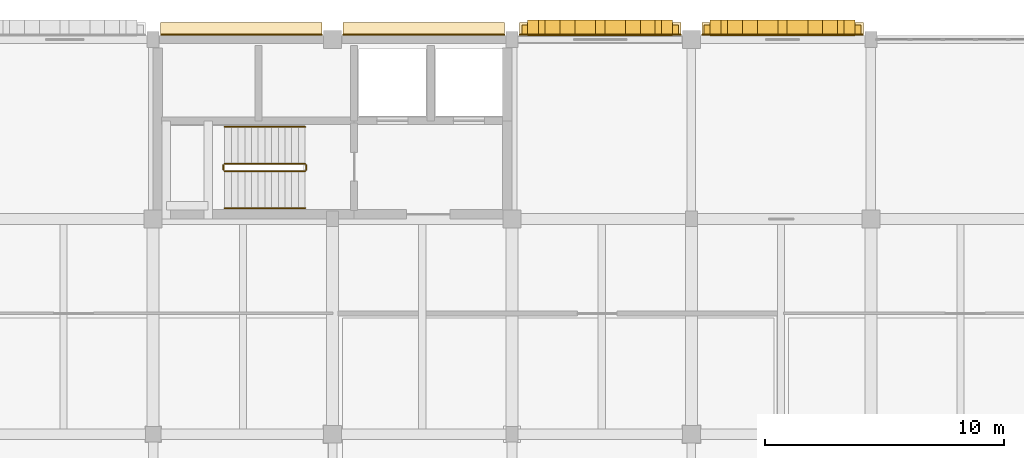
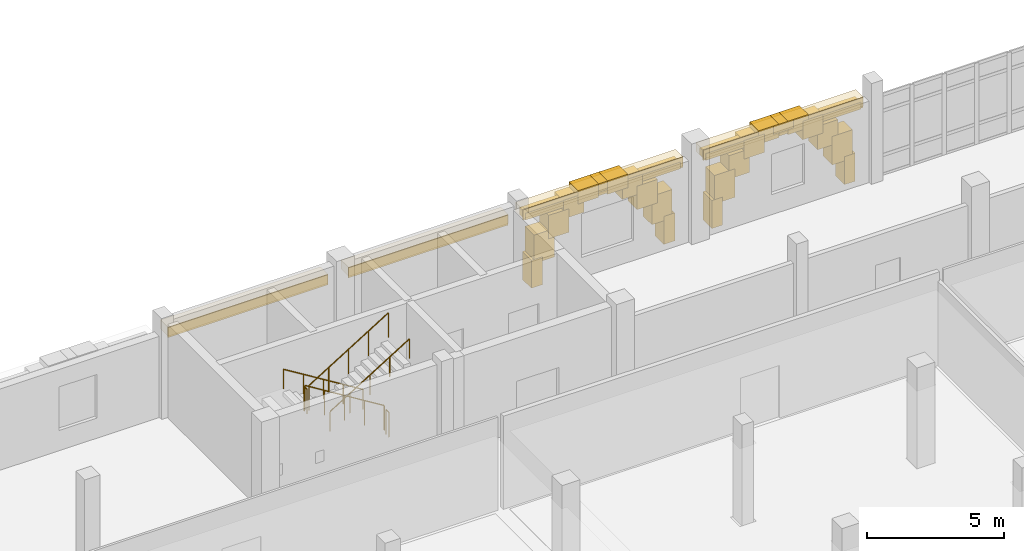
# One storey, part 120 of 128: 30 coverings, 6 railings, 2 shading devices.
"""IFC4 building model written with IfcOpenShell, lengths in metres."""

from ifc_helpers import new_model, si_unit, direction, frame, origin, origin_2d, place, context, subcontext, project, spatial, rectangle, circle, extrude, material, layer, layer_set, type_object, element, save


model = new_model("IFC4")

# Units and contexts
model_context = context("Model", 3, precision=1e-05, world=origin(), true_north=direction((0.0, 1.0)))
body_context = subcontext(model_context, "Body", "Model", "MODEL_VIEW")
ifc_project = project(units=[si_unit("LENGTHUNIT", "METRE"), si_unit("AREAUNIT", "SQUARE_METRE"), si_unit("VOLUMEUNIT", "CUBIC_METRE"), si_unit("PLANEANGLEUNIT", "RADIAN"), si_unit("MASSUNIT", "GRAM", prefix="KILO")], contexts=[model_context])

# Site, building, storey
site_placement = place(None, origin())
site = spatial("IfcSite", under=ifc_project, at=site_placement, CompositionType="ELEMENT")
building_placement = place(site_placement, origin())
building = spatial("IfcBuilding", under=site, at=building_placement, Name="Dalvernix Boulevard General Hospital", CompositionType="ELEMENT")
storey_placement = place(building_placement, frame((0.0, 0.0, 4.800048828125)))
storey = spatial("IfcBuildingStorey", under=building, at=storey_placement, Name="L01", CompositionType="ELEMENT", Elevation=4.800048828125)

# Coverings
ifc_material_1 = material(Name="Pressed Catalan clay brick and dressed limestone parabolic archivolt", Category="masonry")
ifc_layer_1 = layer(ifc_material_1, 0.419921875)
ifc_layer_set_1 = layer_set([ifc_layer_1], Name="Pressed Catalan clay brick and dressed limestone parabolic archivolt (COV-ARC-01)")
covering_type_1 = type_object("IfcCoveringType", Name="COV-ARC-01", PredefinedType="CLADDING", material=ifc_layer_set_1)
for number, where, z_axis, x_axis, name in (
    (1, (75.887451171875, 117.485107421875, 0.0), (0.0, 0.0, 1.0), (1.0, 0.0, 0.0), "L01 Catalan parabolic arch impost pier N 10-15-L"),
    (2, (81.487548828125, 117.485107421875, 0.0), (0.0, 0.0, 1.0), (1.0, 0.0, 0.0), "L01 Catalan parabolic arch impost pier N 10-15-R"),
):
    element("IfcCovering", number, at=place(storey_placement, frame(where, z_axis=z_axis, x_axis=x_axis)), inside=storey, type_object=covering_type_1, Name=name, PredefinedType="CLADDING", context=body_context, shape_type="SweptSolid", body=[
        extrude(rectangle(XDim=0.4599609375, YDim=0.659912109375, at=origin_2d()), origin(), (0.0, 0.0, 1.0), 1.25),
    ])
covering_1_placement = place(storey_placement, frame((76.198486328125, 117.485107421875, 1.06005859375), z_axis=(0.0, 0.0, 1.0), x_axis=(1.0, 0.0, 0.0)))
element("IfcCovering", 3, at=covering_1_placement, inside=storey, type_object=covering_type_1, Name="L01 Catalan parabolic archivolt voussoir N 10-15-1", PredefinedType="CLADDING", context=body_context, shape_type="SweptSolid", body=[
    extrude(rectangle(XDim=0.8623046875, YDim=0.659912109375, at=origin_2d()), origin(), (0.0, 0.0, 1.0), 1.272705078125),
])
covering_2_placement = place(storey_placement, frame((76.82080078125, 117.485107421875, 1.95263671875), z_axis=(0.0, 0.0, 1.0), x_axis=(1.0, 0.0, 0.0)))
element("IfcCovering", 4, at=covering_2_placement, inside=storey, type_object=covering_type_1, Name="L01 Catalan parabolic archivolt voussoir N 10-15-2", PredefinedType="CLADDING", context=body_context, shape_type="SweptSolid", body=[
    extrude(rectangle(XDim=0.8623046875, YDim=0.659912109375, at=origin_2d()), origin(), (0.0, 0.0, 1.0), 1.049560546875),
])
covering_3_placement = place(storey_placement, frame((77.443115234375, 117.485107421875, 2.62255859375), z_axis=(0.0, 0.0, 1.0), x_axis=(1.0, 0.0, 0.0)))
element("IfcCovering", 5, at=covering_3_placement, inside=storey, type_object=covering_type_1, Name="L01 Catalan parabolic archivolt voussoir N 10-15-3", PredefinedType="CLADDING", context=body_context, shape_type="SweptSolid", body=[
    extrude(rectangle(XDim=0.8623046875, YDim=0.659912109375, at=origin_2d()), origin(), (0.0, 0.0, 1.0), 0.826416015625),
])
covering_4_placement = place(storey_placement, frame((78.065185546875, 117.485107421875, 3.06884765625), z_axis=(0.0, 0.0, 1.0), x_axis=(1.0, 0.0, 0.0)))
element("IfcCovering", 6, at=covering_4_placement, inside=storey, type_object=covering_type_1, Name="L01 Catalan parabolic archivolt voussoir N 10-15-4", PredefinedType="CLADDING", context=body_context, shape_type="SweptSolid", body=[
    extrude(rectangle(XDim=0.8623046875, YDim=0.659912109375, at=origin_2d()), origin(), (0.0, 0.0, 1.0), 0.603271484375),
])
covering_5_placement = place(storey_placement, frame((78.6875, 117.485107421875, 3.2919921875), z_axis=(0.0, 0.0, 1.0), x_axis=(1.0, 0.0, 0.0)))
element("IfcCovering", 7, at=covering_5_placement, inside=storey, type_object=covering_type_1, Name="L01 Catalan parabolic archivolt voussoir N 10-15-5", PredefinedType="CLADDING", context=body_context, shape_type="SweptSolid", body=[
    extrude(rectangle(XDim=0.8623046875, YDim=0.659912109375, at=origin_2d()), origin(), (0.0, 0.0, 1.0), 0.3798828125),
])
covering_6_placement = place(storey_placement, frame((79.309814453125, 117.485107421875, 3.06884765625), z_axis=(0.0, 0.0, 1.0), x_axis=(1.0, 0.0, 0.0)))
element("IfcCovering", 8, at=covering_6_placement, inside=storey, type_object=covering_type_1, Name="L01 Catalan parabolic archivolt voussoir N 10-15-6", PredefinedType="CLADDING", context=body_context, shape_type="SweptSolid", body=[
    extrude(rectangle(XDim=0.8623046875, YDim=0.659912109375, at=origin_2d()), origin(), (0.0, 0.0, 1.0), 0.603271484375),
])
covering_7_placement = place(storey_placement, frame((79.931884765625, 117.485107421875, 2.62255859375), z_axis=(0.0, 0.0, 1.0), x_axis=(1.0, 0.0, 0.0)))
element("IfcCovering", 9, at=covering_7_placement, inside=storey, type_object=covering_type_1, Name="L01 Catalan parabolic archivolt voussoir N 10-15-7", PredefinedType="CLADDING", context=body_context, shape_type="SweptSolid", body=[
    extrude(rectangle(XDim=0.8623046875, YDim=0.659912109375, at=origin_2d()), origin(), (0.0, 0.0, 1.0), 0.826416015625),
])
covering_8_placement = place(storey_placement, frame((80.55419921875, 117.485107421875, 1.95263671875), z_axis=(0.0, 0.0, 1.0), x_axis=(1.0, 0.0, 0.0)))
element("IfcCovering", 10, at=covering_8_placement, inside=storey, type_object=covering_type_1, Name="L01 Catalan parabolic archivolt voussoir N 10-15-8", PredefinedType="CLADDING", context=body_context, shape_type="SweptSolid", body=[
    extrude(rectangle(XDim=0.8623046875, YDim=0.659912109375, at=origin_2d()), origin(), (0.0, 0.0, 1.0), 1.049560546875),
])
covering_9_placement = place(storey_placement, frame((81.176513671875, 117.485107421875, 1.06005859375), z_axis=(0.0, 0.0, 1.0), x_axis=(1.0, 0.0, 0.0)))
element("IfcCovering", 11, at=covering_9_placement, inside=storey, type_object=covering_type_1, Name="L01 Catalan parabolic archivolt voussoir N 10-15-9", PredefinedType="CLADDING", context=body_context, shape_type="SweptSolid", body=[
    extrude(rectangle(XDim=0.8623046875, YDim=0.659912109375, at=origin_2d()), origin(), (0.0, 0.0, 1.0), 1.272705078125),
])
for number, where, z_axis, x_axis, name in (
    (12, (83.512451171875, 117.485107421875, 0.0), (0.0, 0.0, 1.0), (1.0, 0.0, 0.0), "L01 Catalan parabolic arch impost pier N 11-15-L"),
    (13, (89.112548828125, 117.485107421875, 0.0), (0.0, 0.0, 1.0), (1.0, 0.0, 0.0), "L01 Catalan parabolic arch impost pier N 11-15-R"),
):
    element("IfcCovering", number, at=place(storey_placement, frame(where, z_axis=z_axis, x_axis=x_axis)), inside=storey, type_object=covering_type_1, Name=name, PredefinedType="CLADDING", context=body_context, shape_type="SweptSolid", body=[
        extrude(rectangle(XDim=0.4599609375, YDim=0.659912109375, at=origin_2d()), origin(), (0.0, 0.0, 1.0), 1.25),
    ])
covering_10_placement = place(storey_placement, frame((83.823486328125, 117.485107421875, 1.06005859375), z_axis=(0.0, 0.0, 1.0), x_axis=(1.0, 0.0, 0.0)))
element("IfcCovering", 14, at=covering_10_placement, inside=storey, type_object=covering_type_1, Name="L01 Catalan parabolic archivolt voussoir N 11-15-1", PredefinedType="CLADDING", context=body_context, shape_type="SweptSolid", body=[
    extrude(rectangle(XDim=0.8623046875, YDim=0.659912109375, at=origin_2d()), origin(), (0.0, 0.0, 1.0), 1.272705078125),
])
covering_11_placement = place(storey_placement, frame((84.44580078125, 117.485107421875, 1.95263671875), z_axis=(0.0, 0.0, 1.0), x_axis=(1.0, 0.0, 0.0)))
element("IfcCovering", 15, at=covering_11_placement, inside=storey, type_object=covering_type_1, Name="L01 Catalan parabolic archivolt voussoir N 11-15-2", PredefinedType="CLADDING", context=body_context, shape_type="SweptSolid", body=[
    extrude(rectangle(XDim=0.8623046875, YDim=0.659912109375, at=origin_2d()), origin(), (0.0, 0.0, 1.0), 1.049560546875),
])
covering_12_placement = place(storey_placement, frame((85.068115234375, 117.485107421875, 2.62255859375), z_axis=(0.0, 0.0, 1.0), x_axis=(1.0, 0.0, 0.0)))
element("IfcCovering", 16, at=covering_12_placement, inside=storey, type_object=covering_type_1, Name="L01 Catalan parabolic archivolt voussoir N 11-15-3", PredefinedType="CLADDING", context=body_context, shape_type="SweptSolid", body=[
    extrude(rectangle(XDim=0.8623046875, YDim=0.659912109375, at=origin_2d()), origin(), (0.0, 0.0, 1.0), 0.826416015625),
])
covering_13_placement = place(storey_placement, frame((85.690185546875, 117.485107421875, 3.06884765625), z_axis=(0.0, 0.0, 1.0), x_axis=(1.0, 0.0, 0.0)))
element("IfcCovering", 17, at=covering_13_placement, inside=storey, type_object=covering_type_1, Name="L01 Catalan parabolic archivolt voussoir N 11-15-4", PredefinedType="CLADDING", context=body_context, shape_type="SweptSolid", body=[
    extrude(rectangle(XDim=0.8623046875, YDim=0.659912109375, at=origin_2d()), origin(), (0.0, 0.0, 1.0), 0.603271484375),
])
covering_14_placement = place(storey_placement, frame((86.3125, 117.485107421875, 3.2919921875), z_axis=(0.0, 0.0, 1.0), x_axis=(1.0, 0.0, 0.0)))
element("IfcCovering", 18, at=covering_14_placement, inside=storey, type_object=covering_type_1, Name="L01 Catalan parabolic archivolt voussoir N 11-15-5", PredefinedType="CLADDING", context=body_context, shape_type="SweptSolid", body=[
    extrude(rectangle(XDim=0.8623046875, YDim=0.659912109375, at=origin_2d()), origin(), (0.0, 0.0, 1.0), 0.3798828125),
])
covering_15_placement = place(storey_placement, frame((86.934814453125, 117.485107421875, 3.06884765625), z_axis=(0.0, 0.0, 1.0), x_axis=(1.0, 0.0, 0.0)))
element("IfcCovering", 19, at=covering_15_placement, inside=storey, type_object=covering_type_1, Name="L01 Catalan parabolic archivolt voussoir N 11-15-6", PredefinedType="CLADDING", context=body_context, shape_type="SweptSolid", body=[
    extrude(rectangle(XDim=0.8623046875, YDim=0.659912109375, at=origin_2d()), origin(), (0.0, 0.0, 1.0), 0.603271484375),
])
covering_16_placement = place(storey_placement, frame((87.556884765625, 117.485107421875, 2.62255859375), z_axis=(0.0, 0.0, 1.0), x_axis=(1.0, 0.0, 0.0)))
element("IfcCovering", 20, at=covering_16_placement, inside=storey, type_object=covering_type_1, Name="L01 Catalan parabolic archivolt voussoir N 11-15-7", PredefinedType="CLADDING", context=body_context, shape_type="SweptSolid", body=[
    extrude(rectangle(XDim=0.8623046875, YDim=0.659912109375, at=origin_2d()), origin(), (0.0, 0.0, 1.0), 0.826416015625),
])
covering_17_placement = place(storey_placement, frame((88.17919921875, 117.485107421875, 1.95263671875), z_axis=(0.0, 0.0, 1.0), x_axis=(1.0, 0.0, 0.0)))
element("IfcCovering", 21, at=covering_17_placement, inside=storey, type_object=covering_type_1, Name="L01 Catalan parabolic archivolt voussoir N 11-15-8", PredefinedType="CLADDING", context=body_context, shape_type="SweptSolid", body=[
    extrude(rectangle(XDim=0.8623046875, YDim=0.659912109375, at=origin_2d()), origin(), (0.0, 0.0, 1.0), 1.049560546875),
])
covering_18_placement = place(storey_placement, frame((88.801513671875, 117.485107421875, 1.06005859375), z_axis=(0.0, 0.0, 1.0), x_axis=(1.0, 0.0, 0.0)))
element("IfcCovering", 22, at=covering_18_placement, inside=storey, type_object=covering_type_1, Name="L01 Catalan parabolic archivolt voussoir N 11-15-9", PredefinedType="CLADDING", context=body_context, shape_type="SweptSolid", body=[
    extrude(rectangle(XDim=0.8623046875, YDim=0.659912109375, at=origin_2d()), origin(), (0.0, 0.0, 1.0), 1.272705078125),
])
ifc_material_2 = material(Name="Polychrome Catalan glazed ceramic spandrel tile panel")
ifc_layer_2 = layer(ifc_material_2, 0.044921875)
ifc_layer_set_2 = layer_set([ifc_layer_2], Name="Polychrome Catalan glazed ceramic spandrel tile panel (COV-CLD-01)")
covering_type_2 = type_object("IfcCoveringType", Name="COV-CLD-01", PredefinedType="CLADDING", material=ifc_layer_set_2)
for number, where, z_axis, x_axis, name in (
    (23, (63.6875, 117.195068359375, 3.15478515625), (0.0, 0.0, 1.0), (1.0, 0.0, 0.0), "L01 polychrome ceramic spandrel N 8-15"),
    (24, (71.3125, 117.195068359375, 3.15478515625), (0.0, 0.0, 1.0), (1.0, 0.0, 0.0), "L01 polychrome ceramic spandrel N 9-15"),
    (25, (78.6875, 117.195068359375, 3.15478515625), (0.0, 0.0, 1.0), (1.0, 0.0, 0.0), "L01 polychrome ceramic spandrel N 10-15"),
    (26, (86.3125, 117.195068359375, 3.15478515625), (0.0, 0.0, 1.0), (1.0, 0.0, 0.0), "L01 polychrome ceramic spandrel N 11-15"),
):
    element("IfcCovering", number, at=place(storey_placement, frame(where, z_axis=z_axis, x_axis=x_axis)), inside=storey, type_object=covering_type_2, Name=name, PredefinedType="CLADDING", context=body_context, shape_type="SweptSolid", body=[
        extrude(rectangle(XDim=6.7548828125, YDim=0.044921875, at=origin_2d()), origin(), (0.0, 0.0, 1.0), 0.449951171875),
    ])
ifc_material_3 = material(Name="Dressed ochre limestone classical plinth, stringcourse and corbelled cornice", Category="masonry")
ifc_layer_3 = layer(ifc_material_3, 0.449951171875)
ifc_layer_set_3 = layer_set([ifc_layer_3], Name="Dressed ochre limestone classical plinth, stringcourse and corbelled cornice (COV-CRN-01)")
covering_type_3 = type_object("IfcCoveringType", Name="COV-CRN-01", PredefinedType="CLADDING", material=ifc_layer_set_3)
for number, where, z_axis, x_axis, name in (
    (27, (63.6875, 117.43505859375, 3.22998046875), (0.0, 0.0, 1.0), (1.0, 0.0, 0.0), "L01 classical corbelled cornice frieze N 8-15"),
    (28, (71.3125, 117.43505859375, 3.22998046875), (0.0, 0.0, 1.0), (1.0, 0.0, 0.0), "L01 classical corbelled cornice frieze N 9-15"),
    (29, (78.6875, 117.43505859375, 3.22998046875), (0.0, 0.0, 1.0), (1.0, 0.0, 0.0), "L01 classical corbelled cornice frieze N 10-15"),
    (30, (86.3125, 117.43505859375, 3.22998046875), (0.0, 0.0, 1.0), (1.0, 0.0, 0.0), "L01 classical corbelled cornice frieze N 11-15"),
):
    element("IfcCovering", number, at=place(storey_placement, frame(where, z_axis=z_axis, x_axis=x_axis)), inside=storey, type_object=covering_type_3, Name=name, PredefinedType="CLADDING", context=body_context, shape_type="SweptSolid", body=[
        extrude(rectangle(XDim=6.7548828125, YDim=0.56005859375, at=origin_2d()), origin(), (0.0, 0.0, 1.0), 0.39990234375),
    ])

# Railings
ifc_material_4 = material(Name="Brushed stainless steel balustrade", Category="steel")
railing_type_1 = type_object("IfcRailingType", Name="RL-GR-INT1", PredefinedType="BALUSTRADE", material=ifc_material_4)
railing_1_placement = place(storey_placement, frame((66.35009765625, 111.800048828125, 0.173095703125)))
element("IfcRailing", 31, at=railing_1_placement, inside=storey, type_object=railing_type_1, Name="L01 ST-03 stair guard 1", PredefinedType="BALUSTRADE", context=body_context, shape_type="SweptSolid", body=[
    extrude(circle(Radius=0.02392578125, at=origin_2d()), frame((0.0, 0.0, 1.09619140625), z_axis=(-0.850623216509, 0.0, 0.525775754039), x_axis=(0.0, -1.0, 0.0)), (0.0, 0.0, 1.0), 3.9501953125),
    extrude(circle(Radius=0.02099609375, at=origin_2d()), origin(), (0.0, 0.0, 1.0), 1.072021484375),
    extrude(circle(Radius=0.02099609375, at=origin_2d()), frame((-0.840087890625, 0.0, 0.519287109375)), (0.0, 0.0, 1.0), 1.072021484375),
    extrude(circle(Radius=0.02099609375, at=origin_2d()), frame((-1.68017578125, 0.0, 1.03857421875)), (0.0, 0.0, 1.0), 1.072021484375),
    extrude(circle(Radius=0.02099609375, at=origin_2d()), frame((-2.52001953125, 0.0, 1.5576171875)), (0.0, 0.0, 1.0), 1.072021484375),
    extrude(circle(Radius=0.02099609375, at=origin_2d()), frame((-3.360107421875, 0.0, 2.076904296875)), (0.0, 0.0, 1.0), 1.072021484375),
])
railing_2_placement = place(storey_placement, frame((62.93994140625, 111.75, 2.25)))
element("IfcRailing", 32, at=railing_2_placement, inside=storey, type_object=railing_type_1, Name="L01 ST-03 stair guard 2", PredefinedType="BALUSTRADE", context=body_context, shape_type="SweptSolid", body=[
    extrude(circle(Radius=0.02392578125, at=origin_2d()), frame((0.0, 0.0, 1.09619140625), z_axis=(0.0, -1.0, 0.0), x_axis=(1.0, 0.0, 0.0)), (0.0, 0.0, 1.0), 0.199951171875),
    extrude(circle(Radius=0.02099609375, at=origin_2d()), origin(), (0.0, 0.0, 1.0), 1.072021484375),
    extrude(circle(Radius=0.02099609375, at=origin_2d()), frame((0.0, -0.199951171875, 0.0)), (0.0, 0.0, 1.0), 1.072021484375),
])
railing_3_placement = place(storey_placement, frame((62.989990234375, 111.5, 2.423095703125)))
element("IfcRailing", 33, at=railing_3_placement, inside=storey, type_object=railing_type_1, Name="L01 ST-03 stair guard 3", PredefinedType="BALUSTRADE", context=body_context, shape_type="SweptSolid", body=[
    extrude(circle(Radius=0.02392578125, at=origin_2d()), frame((0.0, 0.0, 1.09619140625), z_axis=(0.850623216509, 0.0, 0.525775754039), x_axis=(0.0, 1.0, 0.0)), (0.0, 0.0, 1.0), 3.9501953125),
    extrude(circle(Radius=0.02099609375, at=origin_2d()), origin(), (0.0, 0.0, 1.0), 1.072021484375),
    extrude(circle(Radius=0.02099609375, at=origin_2d()), frame((0.840087890625, 0.0, 0.519287109375)), (0.0, 0.0, 1.0), 1.072021484375),
    extrude(circle(Radius=0.02099609375, at=origin_2d()), frame((1.68017578125, 0.0, 1.03857421875)), (0.0, 0.0, 1.0), 1.072021484375),
    extrude(circle(Radius=0.02099609375, at=origin_2d()), frame((2.52001953125, 0.0, 1.5576171875)), (0.0, 0.0, 1.0), 1.072021484375),
    extrude(circle(Radius=0.02099609375, at=origin_2d()), frame((3.360107421875, 0.0, 2.076904296875)), (0.0, 0.0, 1.0), 1.072021484375),
])
railing_4_placement = place(storey_placement, frame((66.39990234375, 111.75, 0.0)))
element("IfcRailing", 34, at=railing_4_placement, inside=storey, type_object=railing_type_1, Name="L01 ST-03 stair guard 4", PredefinedType="BALUSTRADE", context=body_context, shape_type="SweptSolid", body=[
    extrude(circle(Radius=0.02392578125, at=origin_2d()), frame((0.0, 0.0, 1.09619140625), z_axis=(0.0, -1.0, 0.0), x_axis=(1.0, 0.0, 0.0)), (0.0, 0.0, 1.0), 0.199951171875),
    extrude(circle(Radius=0.02099609375, at=origin_2d()), origin(), (0.0, 0.0, 1.0), 1.072021484375),
    extrude(circle(Radius=0.02099609375, at=origin_2d()), frame((0.0, -0.199951171875, 0.0)), (0.0, 0.0, 1.0), 1.072021484375),
])
ifc_material_5 = material(Name="Brushed stainless steel wall handrail", Category="steel")
railing_type_2 = type_object("IfcRailingType", Name="RL-HR-INT1", PredefinedType="HANDRAIL", material=ifc_material_5)
railing_5_placement = place(storey_placement, frame((66.35009765625, 113.35009765625, 0.173095703125)))
element("IfcRailing", 35, at=railing_5_placement, inside=storey, type_object=railing_type_2, Name="L01 ST-03 stair handrail 1", PredefinedType="HANDRAIL", context=body_context, shape_type="SweptSolid", body=[
    extrude(circle(Radius=0.02392578125, at=origin_2d()), frame((0.0, 0.0, 0.8759765625), z_axis=(-0.850623216509, 0.0, 0.525775754039), x_axis=(0.0, -1.0, 0.0)), (0.0, 0.0, 1.0), 3.9501953125),
    extrude(circle(Radius=0.02099609375, at=origin_2d()), origin(), (0.0, 0.0, 1.0), 0.851806640625),
    extrude(circle(Radius=0.02099609375, at=origin_2d()), frame((-0.840087890625, 0.0, 0.519287109375)), (0.0, 0.0, 1.0), 0.851806640625),
    extrude(circle(Radius=0.02099609375, at=origin_2d()), frame((-1.68017578125, 0.0, 1.03857421875)), (0.0, 0.0, 1.0), 0.851806640625),
    extrude(circle(Radius=0.02099609375, at=origin_2d()), frame((-2.52001953125, 0.0, 1.5576171875)), (0.0, 0.0, 1.0), 0.851806640625),
    extrude(circle(Radius=0.02099609375, at=origin_2d()), frame((-3.360107421875, 0.0, 2.076904296875)), (0.0, 0.0, 1.0), 0.851806640625),
])
railing_6_placement = place(storey_placement, frame((62.989990234375, 109.949951171875, 2.423095703125)))
element("IfcRailing", 36, at=railing_6_placement, inside=storey, type_object=railing_type_2, Name="L01 ST-03 stair handrail 2", PredefinedType="HANDRAIL", context=body_context, shape_type="SweptSolid", body=[
    extrude(circle(Radius=0.02392578125, at=origin_2d()), frame((0.0, 0.0, 0.8759765625), z_axis=(0.850623216509, 0.0, 0.525775754039), x_axis=(0.0, 1.0, 0.0)), (0.0, 0.0, 1.0), 3.9501953125),
    extrude(circle(Radius=0.02099609375, at=origin_2d()), origin(), (0.0, 0.0, 1.0), 0.851806640625),
    extrude(circle(Radius=0.02099609375, at=origin_2d()), frame((0.840087890625, 0.0, 0.519287109375)), (0.0, 0.0, 1.0), 0.851806640625),
    extrude(circle(Radius=0.02099609375, at=origin_2d()), frame((1.68017578125, 0.0, 1.03857421875)), (0.0, 0.0, 1.0), 0.851806640625),
    extrude(circle(Radius=0.02099609375, at=origin_2d()), frame((2.52001953125, 0.0, 1.5576171875)), (0.0, 0.0, 1.0), 0.851806640625),
    extrude(circle(Radius=0.02099609375, at=origin_2d()), frame((3.360107421875, 0.0, 2.076904296875)), (0.0, 0.0, 1.0), 0.851806640625),
])

# Shading devices
ifc_material_6 = material(Name="Extruded aluminium solar jalousie louvre bank", Category="aluminium")
shading_device_type = type_object("IfcShadingDeviceType", Name="SHD-JAL-01", PredefinedType="JALOUSIE", material=ifc_material_6)
for number, where, z_axis, x_axis, name in (
    (37, (78.6875, 117.385009765625, 3.1298828125), (0.0, 0.0, 1.0), (1.0, 0.0, 0.0), "L01 solar jalousie louvre N 10-15"),
    (38, (86.3125, 117.385009765625, 3.1298828125), (0.0, 0.0, 1.0), (1.0, 0.0, 0.0), "L01 solar jalousie louvre N 11-15"),
):
    element("IfcShadingDevice", number, at=place(storey_placement, frame(where, z_axis=z_axis, x_axis=x_axis)), inside=storey, type_object=shading_device_type, Name=name, PredefinedType="JALOUSIE", context=body_context, shape_type="SweptSolid", body=[
        extrude(rectangle(XDim=6.554931640625, YDim=0.449951171875, at=origin_2d()), origin(), (0.0, 0.0, 1.0), 0.300048828125),
    ])

save(model, "model.ifc")
